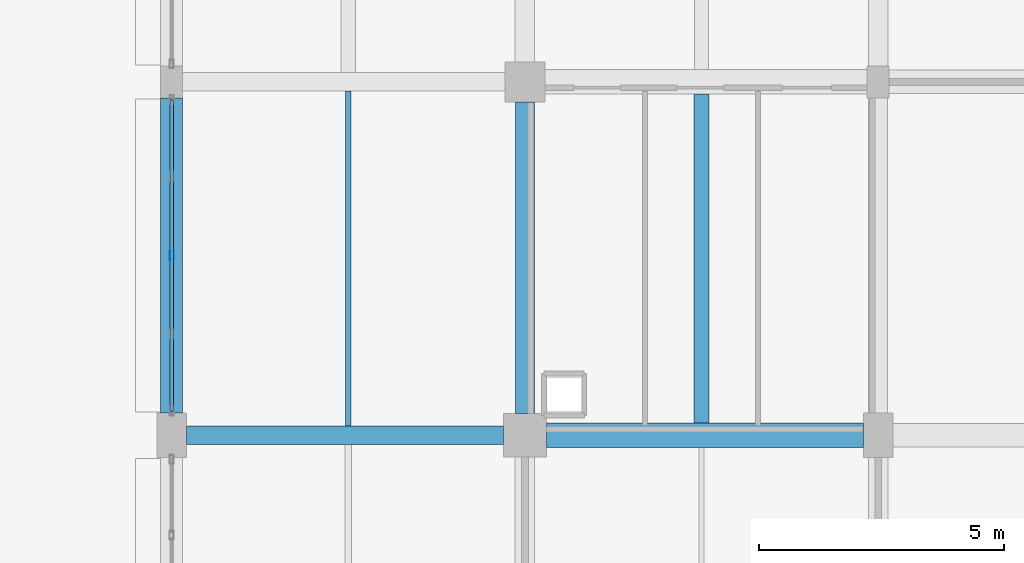
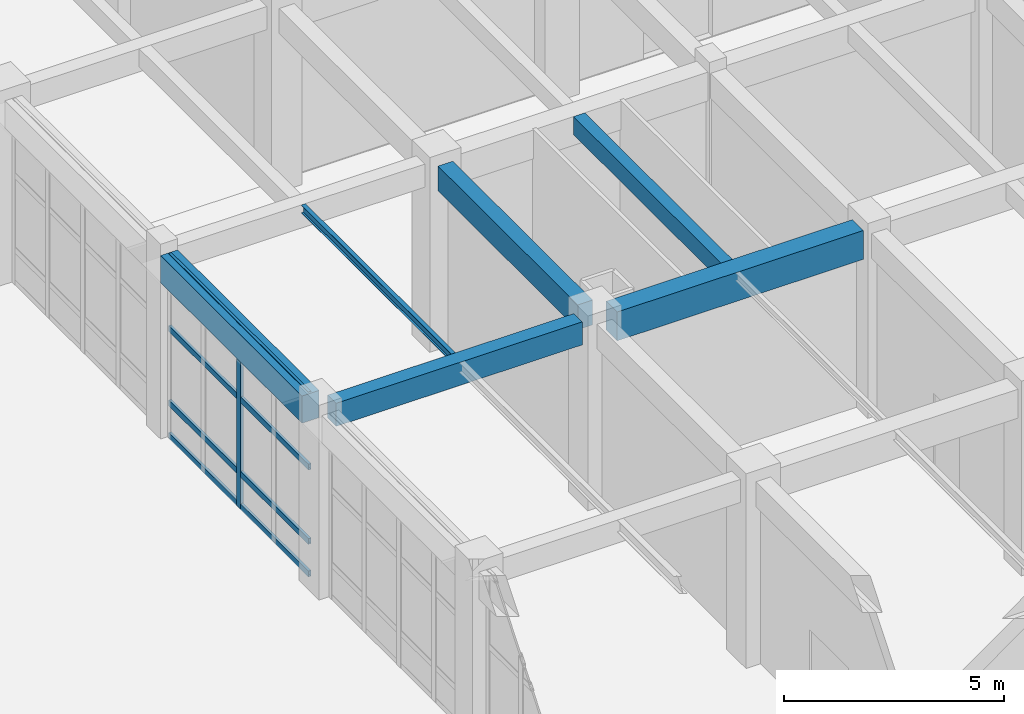
# One storey, part 97 of 160: 6 beams, 5 members, 1 element without a shape of its own.
"""IFC4 building model written with IfcOpenShell, lengths in metres."""

import ifcopenshell
import ifcopenshell.guid

model = None  # the IFC model being written
_history = None  # IfcOwnerHistory: only IFC2X3 demands one
_inside = {}  # id of a spatial element -> (the spatial element, [elements in it])
_under = {}  # id of a project, library or spatial element -> (it, [spatial elements below it])
_declared = {}  # id of a project -> (the project, [libraries it declares])
_typed = {}  # id of a type object -> (the type object, [elements of that type])
_made_of = {}  # id of a material, layer set ... -> (it, [elements and type objects made of it])


def new_model(schema):
    """Start an empty IFC model of exactly this schema.

    Asked for "IFC4X3", IfcOpenShell would pick the latest addendum, in which some entities
    have other attributes; the version numbers below select the first issue.
    IFC2X3 requires an IfcOwnerHistory on every rooted entity: one is made here for all.
    """
    global model, _history
    if schema == "IFC4X3":
        model = ifcopenshell.file(schema_version=(4, 3, 0, 0))
    else:
        model = ifcopenshell.file(schema=schema)
    _inside.clear()
    _under.clear()
    _declared.clear()
    _typed.clear()
    _made_of.clear()
    _history = None
    if model.schema == "IFC2X3":
        org = make("IfcOrganization", Name="unknown")
        user = make(
            "IfcPersonAndOrganization",
            ThePerson=make("IfcPerson", FamilyName="unknown"),
            TheOrganization=org,
        )
        app = make(
            "IfcApplication",
            ApplicationDeveloper=org,
            Version="unknown",
            ApplicationFullName="unknown",
            ApplicationIdentifier="unknown",
        )
        _history = make(
            "IfcOwnerHistory",
            OwningUser=user,
            OwningApplication=app,
            ChangeAction="ADDED",
            CreationDate=0,
        )
    return model


def make(cls, **values):
    """One entity of the class cls with the attributes given. An attribute that is None is left unset."""
    return model.create_entity(
        cls, **{name: value for name, value in values.items() if value is not None}
    )


def rooted(cls, **values):
    """An entity with a GlobalId (a new one), such as an element, a storey or a relation."""
    return make(cls, GlobalId=ifcopenshell.guid.new(), OwnerHistory=_history, **values)


def si_unit(unit_type, name, prefix=None):
    """IfcSIUnit, for example si_unit("LENGTHUNIT", "METRE", prefix="MILLI")."""
    return make("IfcSIUnit", UnitType=unit_type, Prefix=prefix, Name=name)


def assignment(units):
    """IfcUnitAssignment: the units of a project."""
    return None if units is None else make("IfcUnitAssignment", Units=units)


def point(xyz):
    """IfcCartesianPoint."""
    return None if xyz is None else make("IfcCartesianPoint", Coordinates=xyz)


def direction(xyz):
    """IfcDirection."""
    return None if xyz is None else make("IfcDirection", DirectionRatios=xyz)


def frame(location, z_axis=None, x_axis=None):
    """IfcAxis2Placement3D, a coordinate frame: its origin and axes. An axis left out is left unset."""
    return make(
        "IfcAxis2Placement3D",
        Location=point(location),
        Axis=direction(z_axis),
        RefDirection=direction(x_axis),
    )


def frame_2d(location, x_axis=None):
    """IfcAxis2Placement2D, a coordinate frame in the plane: its origin and x axis."""
    return make(
        "IfcAxis2Placement2D", Location=point(location), RefDirection=direction(x_axis)
    )


def origin():
    """The frame at (0, 0, 0) with its axes left unset."""
    return frame((0.0, 0.0, 0.0))


def origin_2d():
    """The frame at (0, 0) in the plane with its x axis left unset."""
    return frame_2d((0.0, 0.0))


def place(relative_to, where):
    """IfcLocalPlacement: puts the frame where relative to a parent placement (None: the world)."""
    return make(
        "IfcLocalPlacement", PlacementRelTo=relative_to, RelativePlacement=where
    )


def context(
    kind, dimensions, precision=None, world=None, true_north=None, identifier=None
):
    """IfcGeometricRepresentationContext, for example the 3D "Model" context."""
    return make(
        "IfcGeometricRepresentationContext",
        ContextIdentifier=identifier,
        ContextType=kind,
        CoordinateSpaceDimension=dimensions,
        Precision=precision,
        WorldCoordinateSystem=world,
        TrueNorth=true_north,
    )


def subcontext(parent, identifier, kind, view, scale=None):
    """IfcGeometricRepresentationSubContext, for example "Body" below "Model"."""
    return make(
        "IfcGeometricRepresentationSubContext",
        ContextIdentifier=identifier,
        ContextType=kind,
        ParentContext=parent,
        TargetScale=scale,
        TargetView=view,
    )


def project(units=None, contexts=None):
    """IfcProject with its units and contexts."""
    return rooted(
        "IfcProject",
        Name="project",
        RepresentationContexts=contexts,
        UnitsInContext=assignment(units),
    )


def spatial(cls, under=None, at=None, **own):
    """A site, building, storey or space (cls), placed at a placement, below another one or the project."""
    s = rooted(cls, ObjectPlacement=at, **own)
    if under is not None:
        _under.setdefault(under.id(), (under, []))[1].append(s)
    return s


def profile(cls, at=None, kind="AREA", **sizes):
    """A parametric profile (cls). Its sizes go by their IFC names, for example OverallWidth=200.0."""
    return make(cls, ProfileType=kind, Position=at, **sizes)


def rectangle(**sizes):
    """IfcRectangleProfileDef."""
    return profile("IfcRectangleProfileDef", **sizes)


def hollow_rectangle(**sizes):
    """IfcRectangleHollowProfileDef."""
    return profile("IfcRectangleHollowProfileDef", **sizes)


def i_section(**sizes):
    """IfcIShapeProfileDef."""
    return profile("IfcIShapeProfileDef", **sizes)


def extrude(swept, where, along, depth):
    """IfcExtrudedAreaSolid: the profile swept, set in the frame where, extruded along a direction by depth."""
    return make(
        "IfcExtrudedAreaSolid",
        SweptArea=swept,
        Position=where,
        ExtrudedDirection=direction(along),
        Depth=depth,
    )


def shape(context_of_items, identifier, shape_type, items):
    """IfcShapeRepresentation: the items that make up one representation, for example the "Body"."""
    return make(
        "IfcShapeRepresentation",
        ContextOfItems=context_of_items,
        RepresentationIdentifier=identifier,
        RepresentationType=shape_type,
        Items=items,
    )


def material(Name=None, Category=None):
    """IfcMaterial."""
    return make("IfcMaterial", Name=Name, Category=Category)


def material_profile(
    of_material, cross_section, Name=None, Category=None, Priority=None
):
    """IfcMaterialProfile: a cross section and its material."""
    return make(
        "IfcMaterialProfile",
        Name=Name,
        Material=of_material,
        Profile=cross_section,
        Priority=Priority,
        Category=Category,
    )


def profile_set(profiles, Name=None, composite=None):
    """IfcMaterialProfileSet."""
    return make(
        "IfcMaterialProfileSet",
        Name=Name,
        MaterialProfiles=profiles,
        CompositeProfile=composite,
    )


def made_of(thing, what):
    """Note that an element or type object is made of a material, layer set ...; save() writes the relation."""
    if what is not None:
        _made_of.setdefault(what.id(), (what, []))[1].append(thing)
    return thing


def type_object(cls, material=None, **own):
    """A type object (cls), such as IfcWallType, which elements share."""
    return made_of(rooted(cls, **own), material)


def element(
    cls,
    number,
    at=None,
    inside=None,
    cuts=None,
    type_object=None,
    material=None,
    context=None,
    identifier="Body",
    shape_type=None,
    held_by="IfcProductDefinitionShape",
    body=None,
    shapes=None,
    **own,
):
    """One element of the class cls, such as IfcWall. Its Tag is "e" and its number.

    at: its placement. inside: the storey or other place that contains it. cuts: it is an
    opening in that element (IfcRelVoidsElement). A single representation is given by context,
    identifier, shape_type and body (its items); several are given by shapes. held_by: the class
    of the entity that holds the representations. save() writes the other relations.
    """
    e = rooted(cls, Tag="e%d" % number, ObjectPlacement=at, **own)
    if body is not None:
        shapes = [shape(context, identifier, shape_type, body)]
    if shapes is not None:
        e.Representation = make(held_by, Representations=shapes)
    if inside is not None:
        _inside.setdefault(inside.id(), (inside, []))[1].append(e)
    if cuts is not None:
        rooted(
            "IfcRelVoidsElement", RelatingBuildingElement=cuts, RelatedOpeningElement=e
        )
    if type_object is not None:
        _typed.setdefault(type_object.id(), (type_object, []))[1].append(e)
    return made_of(e, material)


def aggregate(whole, parts):
    """IfcRelAggregates: a whole, such as a stair, and the parts it consists of."""
    return rooted("IfcRelAggregates", RelatingObject=whole, RelatedObjects=parts)


def save(model, path):
    """Write the relations noted so far, then the file.

    IfcRelAggregates (storeys below a building ...), IfcRelContainedInSpatialStructure (elements
    in a storey), IfcRelDefinesByType, IfcRelAssociatesMaterial and IfcRelDeclares: one each for
    every whole, place, type object, material and project.
    """
    for whole, parts in _under.values():
        aggregate(whole, parts)
    for where, things in _inside.values():
        rooted(
            "IfcRelContainedInSpatialStructure",
            RelatedElements=things,
            RelatingStructure=where,
        )
    for kind, things in _typed.values():
        rooted("IfcRelDefinesByType", RelatedObjects=things, RelatingType=kind)
    for what, things in _made_of.values():
        rooted("IfcRelAssociatesMaterial", RelatedObjects=things, RelatingMaterial=what)
    for by, libraries in _declared.values():
        rooted("IfcRelDeclares", RelatingContext=by, RelatedDefinitions=libraries)
    model.write(path)


model = new_model("IFC4")

# Units and contexts
model_context = context("Model", 3, precision=1e-05, world=origin(), true_north=direction((0.0, 1.0)))
body_context = subcontext(model_context, "Body", "Model", "MODEL_VIEW")
ifc_project = project(units=[si_unit("LENGTHUNIT", "METRE"), si_unit("AREAUNIT", "SQUARE_METRE"), si_unit("VOLUMEUNIT", "CUBIC_METRE"), si_unit("PLANEANGLEUNIT", "RADIAN"), si_unit("MASSUNIT", "GRAM", prefix="KILO")], contexts=[model_context])

# Site, building, storey
site_placement = place(None, origin())
site = spatial("IfcSite", under=ifc_project, at=site_placement, CompositionType="ELEMENT")
building_placement = place(site_placement, origin())
building = spatial("IfcBuilding", under=site, at=building_placement, Name="Thalmaran Polytechnic", CompositionType="ELEMENT")
storey_placement = place(building_placement, origin())
storey = spatial("IfcBuildingStorey", under=building, at=storey_placement, Name="L00", CompositionType="ELEMENT", Elevation=0.0)

# Beams
ifc_material_1 = material(Name="Concrete C40/50", Category="concrete")
ifc_material_profile_1 = material_profile(ifc_material_1, rectangle(XDim=0.5, YDim=0.800048828125, at=origin_2d()), Name="RC 500x800")
ifc_profile_set_1 = profile_set([ifc_material_profile_1], Name="Concrete C40/50")
beam_type_1 = type_object("IfcBeamType", Name="BM-RC02", PredefinedType="BEAM", material=ifc_profile_set_1)
beam_1_placement = place(storey_placement, frame((137.239990234375, 72.0, 4.68994140625), z_axis=(1.0, 0.0, 0.0), x_axis=(0.0, 1.0, 0.0)))
element("IfcBeam", 1, at=beam_1_placement, inside=storey, type_object=beam_type_1, Name="Grid Beam B02 L00 X(19,10)", PredefinedType="BEAM", context=body_context, shape_type="SweptSolid", body=[
    extrude(rectangle(XDim=0.5, YDim=0.800048828125, at=origin_2d()), origin(), (0.0, 0.0, 1.0), 6.4599609375),
])
ifc_material_profile_2 = material_profile(ifc_material_1, rectangle(XDim=0.389892578125, YDim=0.68994140625, at=origin_2d()), Name="RC 390x690")
ifc_profile_set_2 = profile_set([ifc_material_profile_2], Name="Concrete C40/50")
beam_type_2 = type_object("IfcBeamType", Name="BM-RC09", PredefinedType="BEAM", material=ifc_profile_set_2)
beam_2_placement = place(storey_placement, frame((136.800048828125, 72.43994140625, 4.7451171875), z_axis=(0.0, 1.0, 0.0), x_axis=(-1.0, 0.0, 0.0)))
element("IfcBeam", 2, at=beam_2_placement, inside=storey, type_object=beam_type_2, Name="Grid Beam B09 L00 Y(19,10)", PredefinedType="BEAM", context=body_context, shape_type="SweptSolid", body=[
    extrude(rectangle(XDim=0.389892578125, YDim=0.68994140625, at=origin_2d()), origin(), (0.0, 0.0, 1.0), 6.35009765625),
])
ifc_material_profile_3 = material_profile(ifc_material_1, rectangle(XDim=0.300048828125, YDim=0.5, at=origin_2d()), Name="RC 300x500")
ifc_profile_set_3 = profile_set([ifc_material_profile_3], Name="Concrete C40/50")
beam_type_3 = type_object("IfcBeamType", Name="BM-RC11", PredefinedType="JOIST", material=ifc_profile_set_3)
beam_3_placement = place(storey_placement, frame((140.39990234375, 72.25, 4.840087890625), z_axis=(0.0, 1.0, 0.0), x_axis=(-1.0, 0.0, 0.0)))
element("IfcBeam", 3, at=beam_3_placement, inside=storey, type_object=beam_type_3, Name="Secondary Floor Rib RB01 L00 (19,10)", PredefinedType="JOIST", context=body_context, shape_type="SweptSolid", body=[
    extrude(rectangle(XDim=0.300048828125, YDim=0.5, at=origin_2d()), origin(), (0.0, 0.0, 1.0), 6.699951171875),
])
ifc_material_2 = material(Name="Steel S355", Category="steel")
ifc_material_profile_4 = material_profile(ifc_material_2, i_section(OverallWidth=0.110107421875, OverallDepth=0.219970703125, WebThickness=0.005859375, FlangeThickness=0.00927734375, at=origin_2d()), Name="IPE 220")
ifc_profile_set_4 = profile_set([ifc_material_profile_4], Name="Steel S355")
beam_type_4 = type_object("IfcBeamType", Name="BM-SJ04", PredefinedType="JOIST", material=ifc_profile_set_4)
beam_4_placement = place(storey_placement, frame((133.199951171875, 72.18994140625, 4.97998046875), z_axis=(0.0, 1.0, 0.0), x_axis=(-1.0, 0.0, 0.0)))
element("IfcBeam", 4, at=beam_4_placement, inside=storey, type_object=beam_type_4, Name="Secondary Floor Rib SJ04 L00 (18,10)", PredefinedType="JOIST", context=body_context, shape_type="SweptSolid", body=[
    extrude(i_section(OverallWidth=0.110107421875, OverallDepth=0.219970703125, WebThickness=0.005859375, FlangeThickness=0.00927734375, at=origin_2d()), origin(), (0.0, 0.0, 1.0), 6.820068359375),
])
ifc_material_profile_5 = material_profile(ifc_material_1, rectangle(XDim=0.449951171875, YDim=0.7548828125, at=origin_2d()), Name="RC 450x755")
ifc_profile_set_5 = profile_set([ifc_material_profile_5], Name="Concrete C40/50")
beam_type_5 = type_object("IfcBeamType", Name="BM-SP02", PredefinedType="SPANDREL", material=ifc_profile_set_5)
beam_5_placement = place(storey_placement, frame((129.60009765625, 72.449951171875, 4.71240234375), z_axis=(0.0, 1.0, 0.0), x_axis=(-1.0, 0.0, 0.0)))
element("IfcBeam", 5, at=beam_5_placement, inside=storey, type_object=beam_type_5, Name="Grid Beam SP02 L00 Y(18,10)", PredefinedType="SPANDREL", context=body_context, shape_type="SweptSolid", body=[
    extrude(rectangle(XDim=0.449951171875, YDim=0.7548828125, at=origin_2d()), origin(), (0.0, 0.0, 1.0), 6.425048828125),
])
ifc_material_profile_6 = material_profile(ifc_material_1, rectangle(XDim=0.3798828125, YDim=0.639892578125, at=origin_2d()), Name="RC 380x640")
ifc_profile_set_6 = profile_set([ifc_material_profile_6], Name="Concrete C40/50")
beam_type_6 = type_object("IfcBeamType", Name="BM-ZB05", PredefinedType="BEAM", material=ifc_profile_set_6)
beam_6_placement = place(storey_placement, frame((129.89990234375, 72.0, 4.77001953125), z_axis=(1.0, 0.0, 0.0), x_axis=(0.0, 1.0, 0.0)))
element("IfcBeam", 6, at=beam_6_placement, inside=storey, type_object=beam_type_6, Name="Grid Beam ZB05 L00 X(18,10)", PredefinedType="BEAM", context=body_context, shape_type="SweptSolid", body=[
    extrude(rectangle(XDim=0.3798828125, YDim=0.639892578125, at=origin_2d()), origin(), (0.0, 0.0, 1.0), 6.460205078125),
])

# Curtain wall, members
ifc_material_3 = material(Name="Aluminium 6063-T6", Category="aluminium")
curtain_wall_type = type_object("IfcCurtainWallType", Name="CW-UC01", PredefinedType="USERDEFINED", material=ifc_material_3)
curtain_wall_placement = place(storey_placement, origin())
curtain_wall = element("IfcCurtainWall", 7, at=curtain_wall_placement, inside=storey, type_object=curtain_wall_type, Name="Curtain Wall CW-L00-069", ObjectType="UNITISED CURTAIN WALL", PredefinedType="USERDEFINED")
ifc_material_profile_7 = material_profile(ifc_material_3, hollow_rectangle(XDim=0.080078125, YDim=0.179931640625, WallThickness=0.0048828125, at=origin_2d()), Name="RHS 180x80x5.0")
ifc_profile_set_7 = profile_set([ifc_material_profile_7], Name="Aluminium 6063-T6")
member_type_1 = type_object("IfcMemberType", Name="CW-MUL1", PredefinedType="MULLION", material=ifc_profile_set_7)
member_1_placement = place(storey_placement, frame((129.60009765625, 75.66259765625, 0.0), z_axis=(0.0, 0.0, 1.0), x_axis=(1.0, 0.0, 0.0)))
member_1 = element("IfcMember", 8, at=member_1_placement, type_object=member_type_1, Name="CW-L00-069 Mullion 3", PredefinedType="MULLION", context=body_context, shape_type="SweptSolid", body=[
    extrude(hollow_rectangle(XDim=0.080078125, YDim=0.179931640625, WallThickness=0.0048828125, at=origin_2d()), origin(), (0.0, 0.0, 1.0), 5.090087890625),
])
ifc_material_profile_8 = material_profile(ifc_material_3, hollow_rectangle(XDim=0.070068359375, YDim=0.159912109375, WallThickness=0.00390625, at=origin_2d()), Name="AL 160x70x4.0")
ifc_profile_set_8 = profile_set([ifc_material_profile_8], Name="Aluminium 6063-T6")
member_type_2 = type_object("IfcMemberType", Name="CW-TRN1", PredefinedType="USERDEFINED", material=ifc_profile_set_8)
member_2_placement = place(storey_placement, frame((129.60009765625, 72.489990234375, 0.06005859375), z_axis=(0.0, 1.0, 0.0), x_axis=(-1.0, 0.0, 0.0)))
member_2 = element("IfcMember", 9, at=member_2_placement, type_object=member_type_2, Name="CW-L00-069 Transom 1", ObjectType="TRANSOM", PredefinedType="USERDEFINED", context=body_context, shape_type="SweptSolid", body=[
    extrude(hollow_rectangle(XDim=0.070068359375, YDim=0.159912109375, WallThickness=0.00390625, at=origin_2d()), origin(), (0.0, 0.0, 1.0), 6.344970703125),
])
member_3_placement = place(storey_placement, frame((129.60009765625, 72.489990234375, 0.9599609375), z_axis=(0.0, 1.0, 0.0), x_axis=(-1.0, 0.0, 0.0)))
member_3 = element("IfcMember", 10, at=member_3_placement, type_object=member_type_2, Name="CW-L00-069 Transom 2", ObjectType="TRANSOM", PredefinedType="USERDEFINED", context=body_context, shape_type="SweptSolid", body=[
    extrude(hollow_rectangle(XDim=0.070068359375, YDim=0.159912109375, WallThickness=0.00390625, at=origin_2d()), origin(), (0.0, 0.0, 1.0), 6.344970703125),
])
member_4_placement = place(storey_placement, frame((129.60009765625, 72.489990234375, 3.02490234375), z_axis=(0.0, 1.0, 0.0), x_axis=(-1.0, 0.0, 0.0)))
member_4 = element("IfcMember", 11, at=member_4_placement, type_object=member_type_2, Name="CW-L00-069 Transom 3", ObjectType="TRANSOM", PredefinedType="USERDEFINED", context=body_context, shape_type="SweptSolid", body=[
    extrude(hollow_rectangle(XDim=0.070068359375, YDim=0.159912109375, WallThickness=0.00390625, at=origin_2d()), origin(), (0.0, 0.0, 1.0), 6.344970703125),
])
member_5_placement = place(storey_placement, frame((129.60009765625, 72.489990234375, 5.030029296875), z_axis=(0.0, 1.0, 0.0), x_axis=(-1.0, 0.0, 0.0)))
member_5 = element("IfcMember", 12, at=member_5_placement, type_object=member_type_2, Name="CW-L00-069 Transom 4", ObjectType="TRANSOM", PredefinedType="USERDEFINED", context=body_context, shape_type="SweptSolid", body=[
    extrude(hollow_rectangle(XDim=0.070068359375, YDim=0.159912109375, WallThickness=0.00390625, at=origin_2d()), origin(), (0.0, 0.0, 1.0), 6.344970703125),
])
aggregate(curtain_wall, [member_1, member_2, member_3, member_4, member_5])

save(model, "model.ifc")
